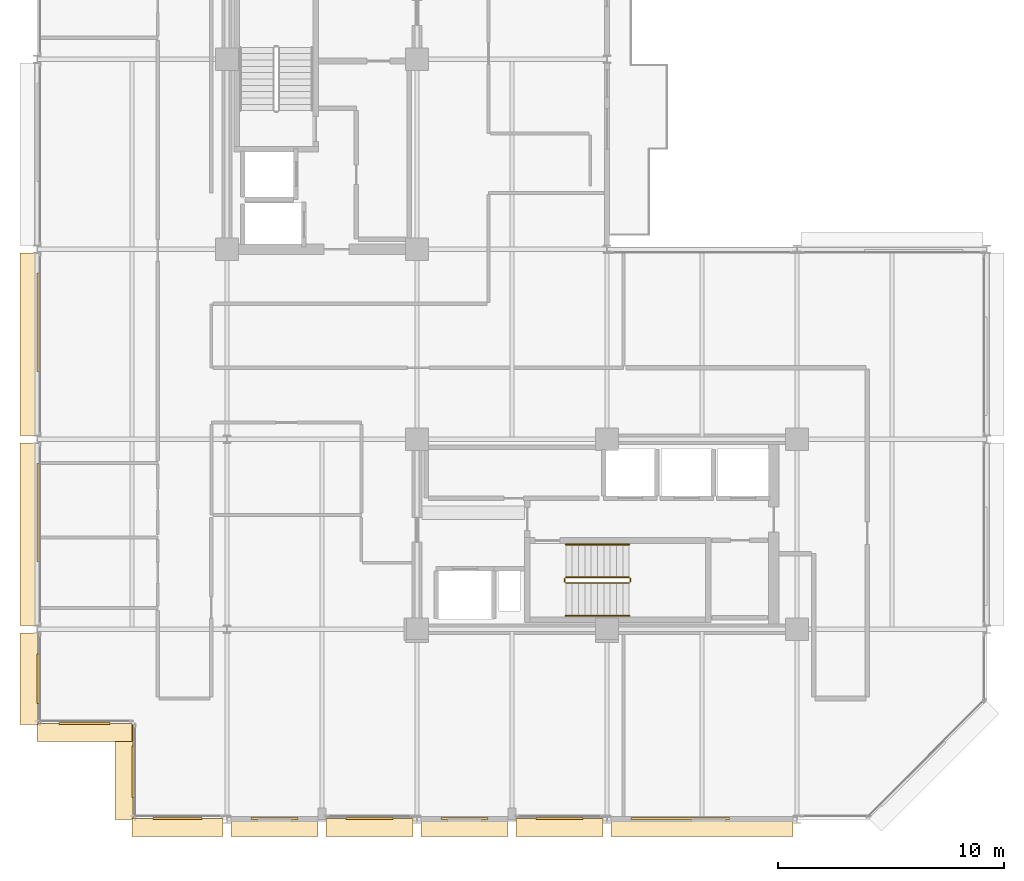
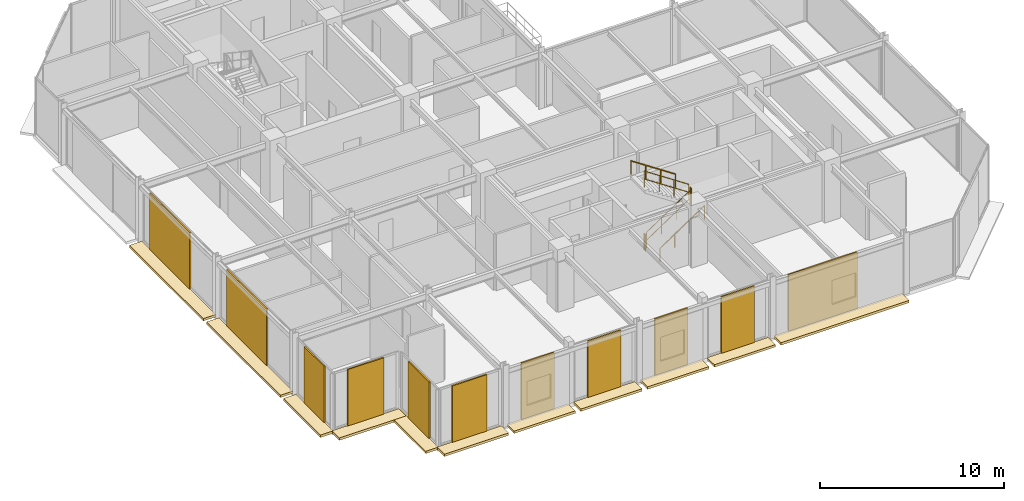
# One storey, part 23 of 26: 22 coverings, 6 railings.
"""IFC4 building model written with IfcOpenShell, lengths in metres."""

from ifc_helpers import new_model, si_unit, direction, frame, origin, origin_2d, place, context, subcontext, project, spatial, polyline, rectangle, circle, outline, extrude, material, layer, layer_set, type_object, element, save


model = new_model("IFC4")

# Units and contexts
model_context = context("Model", 3, precision=1e-05, world=origin(), true_north=direction((0.0, 1.0)))
body_context = subcontext(model_context, "Body", "Model", "MODEL_VIEW")
ifc_project = project(units=[si_unit("LENGTHUNIT", "METRE"), si_unit("AREAUNIT", "SQUARE_METRE"), si_unit("VOLUMEUNIT", "CUBIC_METRE"), si_unit("PLANEANGLEUNIT", "RADIAN"), si_unit("MASSUNIT", "GRAM", prefix="KILO")], contexts=[model_context])

# Site, building, storey
site_placement = place(None, origin())
site = spatial("IfcSite", under=ifc_project, at=site_placement, CompositionType="ELEMENT")
building_placement = place(site_placement, origin())
building = spatial("IfcBuilding", under=site, at=building_placement, Name="Nerrivon Quay Data Exchange", CompositionType="ELEMENT")
storey_placement = place(building_placement, frame((0.0, 0.0, 241.10009765625)))
storey = spatial("IfcBuildingStorey", under=building, at=storey_placement, Name="L57", CompositionType="ELEMENT", Elevation=241.10009765625)

# Coverings
ifc_material_1 = material(Name="Architectural terracotta ceramic", Category="masonry")
ifc_layer_1 = layer(ifc_material_1, 0.159912109375)
ifc_layer_set_1 = layer_set([ifc_layer_1], Name="Architectural terracotta ceramic")
covering_type_1 = type_object("IfcCoveringType", Name="COV-BLD-TERR", PredefinedType="CLADDING", material=ifc_layer_set_1)
covering_1_placement = place(storey_placement, frame((0.0, 0.0, -0.16015625)))
element("IfcCovering", 1, at=covering_1_placement, inside=storey, type_object=covering_type_1, Name="L57 Horizontal Terracotta SOLAR SCREEN Blade", PredefinedType="CLADDING", context=body_context, shape_type="SweptSolid", body=[
    extrude(outline(polyline([(33.425048828125, 0.0400390625), (25.375, 0.0400390625), (25.375, -0.75), (33.425048828125, -0.75), (33.425048828125, 0.0400390625)])), origin(), (0.0, 0.0, 1.0), 0.16015625),
])
covering_2_placement = place(storey_placement, frame((0.0, 0.0, -0.16015625)))
element("IfcCovering", 2, at=covering_2_placement, inside=storey, type_object=covering_type_1, Name="L57 Horizontal Terracotta SOLAR SCREEN Blade", PredefinedType="CLADDING", context=body_context, shape_type="SweptSolid", body=[
    extrude(outline(polyline([(25.02490234375, 0.0400390625), (21.175048828125, 0.0400390625), (21.175048828125, -0.75), (25.02490234375, -0.75), (25.02490234375, 0.0400390625)])), origin(), (0.0, 0.0, 1.0), 0.16015625),
])
covering_3_placement = place(storey_placement, frame((0.0, 0.0, -0.16015625)))
element("IfcCovering", 3, at=covering_3_placement, inside=storey, type_object=covering_type_1, Name="L57 Horizontal Terracotta SOLAR SCREEN Blade", PredefinedType="CLADDING", context=body_context, shape_type="SweptSolid", body=[
    extrude(outline(polyline([(20.824951171875, 0.0400390625), (16.97509765625, 0.0400390625), (16.97509765625, -0.75), (20.824951171875, -0.75), (20.824951171875, 0.0400390625)])), origin(), (0.0, 0.0, 1.0), 0.16015625),
])
covering_4_placement = place(storey_placement, frame((0.0, 0.0, -0.16015625)))
element("IfcCovering", 4, at=covering_4_placement, inside=storey, type_object=covering_type_1, Name="L57 Horizontal Terracotta SOLAR SCREEN Blade", PredefinedType="CLADDING", context=body_context, shape_type="SweptSolid", body=[
    extrude(outline(polyline([(16.625, 0.0400390625), (12.77490234375, 0.0400390625), (12.77490234375, -0.75), (16.625, -0.75), (16.625, 0.0400390625)])), origin(), (0.0, 0.0, 1.0), 0.16015625),
])
covering_5_placement = place(storey_placement, frame((0.0, 0.0, -0.16015625)))
element("IfcCovering", 5, at=covering_5_placement, inside=storey, type_object=covering_type_1, Name="L57 Horizontal Terracotta SOLAR SCREEN Blade", PredefinedType="CLADDING", context=body_context, shape_type="SweptSolid", body=[
    extrude(outline(polyline([(12.425048828125, 0.0400390625), (8.574951171875, 0.0400390625), (8.574951171875, -0.75), (12.425048828125, -0.75), (12.425048828125, 0.0400390625)])), origin(), (0.0, 0.0, 1.0), 0.16015625),
])
covering_6_placement = place(storey_placement, frame((0.0, 0.0, -0.16015625)))
element("IfcCovering", 6, at=covering_6_placement, inside=storey, type_object=covering_type_1, Name="L57 Horizontal Terracotta SOLAR SCREEN Blade", PredefinedType="CLADDING", context=body_context, shape_type="SweptSolid", body=[
    extrude(outline(polyline([(8.22509765625, 0.0400390625), (4.199951171875, 0.0400390625), (4.199951171875, -0.75), (8.22509765625, -0.75), (8.22509765625, 0.0400390625)])), origin(), (0.0, 0.0, 1.0), 0.16015625),
])
covering_7_placement = place(storey_placement, frame((0.0, 0.0, -0.16015625)))
element("IfcCovering", 7, at=covering_7_placement, inside=storey, type_object=covering_type_1, Name="L57 Horizontal Terracotta SOLAR SCREEN Blade", PredefinedType="CLADDING", context=body_context, shape_type="SweptSolid", body=[
    extrude(outline(polyline([(4.239990234375, 0.0), (4.239990234375, 4.199951171875), (3.449951171875, 4.199951171875), (3.449951171875, 0.0), (4.239990234375, 0.0)])), origin(), (0.0, 0.0, 1.0), 0.16015625),
])
covering_8_placement = place(storey_placement, frame((0.0, 0.0, -0.16015625)))
element("IfcCovering", 8, at=covering_8_placement, inside=storey, type_object=covering_type_1, Name="L57 Horizontal Terracotta SOLAR SCREEN Blade", PredefinedType="CLADDING", context=body_context, shape_type="SweptSolid", body=[
    extrude(outline(polyline([(4.199951171875, 4.239990234375), (0.0, 4.239990234375), (0.0, 3.449951171875), (4.199951171875, 3.449951171875), (4.199951171875, 4.239990234375)])), origin(), (0.0, 0.0, 1.0), 0.16015625),
])
covering_9_placement = place(storey_placement, frame((0.0, 0.0, -0.16015625)))
element("IfcCovering", 9, at=covering_9_placement, inside=storey, type_object=covering_type_1, Name="L57 Horizontal Terracotta SOLAR SCREEN Blade", PredefinedType="CLADDING", context=body_context, shape_type="SweptSolid", body=[
    extrude(outline(polyline([(0.0400390625, 4.199951171875), (0.0400390625, 8.22509765625), (-0.75, 8.22509765625), (-0.75, 4.199951171875), (0.0400390625, 4.199951171875)])), origin(), (0.0, 0.0, 1.0), 0.16015625),
])
covering_10_placement = place(storey_placement, frame((0.0, 0.0, -0.16015625)))
element("IfcCovering", 10, at=covering_10_placement, inside=storey, type_object=covering_type_1, Name="L57 Horizontal Terracotta SOLAR SCREEN Blade", PredefinedType="CLADDING", context=body_context, shape_type="SweptSolid", body=[
    extrude(outline(polyline([(0.0400390625, 8.574951171875), (0.0400390625, 16.625), (-0.75, 16.625), (-0.75, 8.574951171875), (0.0400390625, 8.574951171875)])), origin(), (0.0, 0.0, 1.0), 0.16015625),
])
covering_11_placement = place(storey_placement, frame((0.0, 0.0, -0.16015625)))
element("IfcCovering", 11, at=covering_11_placement, inside=storey, type_object=covering_type_1, Name="L57 Horizontal Terracotta SOLAR SCREEN Blade", PredefinedType="CLADDING", context=body_context, shape_type="SweptSolid", body=[
    extrude(outline(polyline([(0.0400390625, 16.97509765625), (0.0400390625, 25.02490234375), (-0.75, 25.02490234375), (-0.75, 16.97509765625), (0.0400390625, 16.97509765625)])), origin(), (0.0, 0.0, 1.0), 0.16015625),
])
ifc_layer_2 = layer(ifc_material_1, 0.090087890625)
ifc_layer_set_2 = layer_set([ifc_layer_2], Name="Architectural terracotta ceramic")
covering_type_2 = type_object("IfcCoveringType", Name="COV-SCR-TERR", PredefinedType="CLADDING", material=ifc_layer_set_2)
covering_12_placement = place(storey_placement, frame((28.43408203125, 0.044921875, 0.0), z_axis=(0.0, 0.0, 1.0), x_axis=(-1.0, 0.0, 0.0)))
element("IfcCovering", 12, at=covering_12_placement, inside=storey, type_object=covering_type_2, Name="L57 Perforated Terracotta SOLAR SCREEN Cassette", PredefinedType="CLADDING", context=body_context, shape_type="SweptSolid", body=[
    extrude(rectangle(XDim=4.346923828125, YDim=0.090087890625, at=origin_2d()), origin(), (0.0, 0.0, 1.0), 3.75),
])
for number, where, z_axis, x_axis, name in (
    (13, (23.10009765625, 0.044921875, 0.0), (0.0, 0.0, 1.0), (-1.0, 0.0, 0.0), "L57 Perforated Terracotta SOLAR SCREEN Cassette"),
    (14, (18.89990234375, 0.044921875, 0.0), (0.0, 0.0, 1.0), (-1.0, 0.0, 0.0), "L57 Perforated Terracotta SOLAR SCREEN Cassette"),
    (15, (14.699951171875, 0.044921875, 0.0), (0.0, 0.0, 1.0), (-1.0, 0.0, 0.0), "L57 Perforated Terracotta SOLAR SCREEN Cassette"),
    (16, (10.5, 0.044921875, 0.0), (0.0, 0.0, 1.0), (-1.0, 0.0, 0.0), "L57 Perforated Terracotta SOLAR SCREEN Cassette"),
):
    element("IfcCovering", number, at=place(storey_placement, frame(where, z_axis=z_axis, x_axis=x_axis)), inside=storey, type_object=covering_type_2, Name=name, PredefinedType="CLADDING", context=body_context, shape_type="SweptSolid", body=[
        extrude(rectangle(XDim=2.0791015625, YDim=0.090087890625, at=origin_2d()), origin(), (0.0, 0.0, 1.0), 3.75),
    ])
covering_13_placement = place(storey_placement, frame((6.21240234375, 0.044921875, 0.0), z_axis=(0.0, 0.0, 1.0), x_axis=(-1.0, 0.0, 0.0)))
element("IfcCovering", 17, at=covering_13_placement, inside=storey, type_object=covering_type_2, Name="L57 Perforated Terracotta SOLAR SCREEN Cassette", PredefinedType="CLADDING", context=body_context, shape_type="SweptSolid", body=[
    extrude(rectangle(XDim=2.173095703125, YDim=0.090087890625, at=origin_2d()), origin(), (0.0, 0.0, 1.0), 3.75),
])
for number, where, z_axis, x_axis, name in (
    (18, (4.2451171875, 2.10009765625, 0.0), (0.0, 0.0, 1.0), (0.0, 1.0, 0.0), "L57 Perforated Terracotta SOLAR SCREEN Cassette"),
    (19, (2.10009765625, 4.2451171875, 0.0), (0.0, 0.0, 1.0), (-1.0, 0.0, 0.0), "L57 Perforated Terracotta SOLAR SCREEN Cassette"),
):
    element("IfcCovering", number, at=place(storey_placement, frame(where, z_axis=z_axis, x_axis=x_axis)), inside=storey, type_object=covering_type_2, Name=name, PredefinedType="CLADDING", context=body_context, shape_type="SweptSolid", body=[
        extrude(rectangle(XDim=2.26806640625, YDim=0.090087890625, at=origin_2d()), origin(), (0.0, 0.0, 1.0), 3.75),
    ])
covering_14_placement = place(storey_placement, frame((0.044921875, 6.21240234375, 0.0), z_axis=(0.0, 0.0, 1.0), x_axis=(0.0, 1.0, 0.0)))
element("IfcCovering", 20, at=covering_14_placement, inside=storey, type_object=covering_type_2, Name="L57 Perforated Terracotta SOLAR SCREEN Cassette", PredefinedType="CLADDING", context=body_context, shape_type="SweptSolid", body=[
    extrude(rectangle(XDim=2.173095703125, YDim=0.090087890625, at=origin_2d()), origin(), (0.0, 0.0, 1.0), 3.75),
])
for number, where, z_axis, x_axis, name in (
    (21, (0.044921875, 13.56591796875, 0.0), (0.0, 0.0, 1.0), (0.0, 1.0, 0.0), "L57 Perforated Terracotta SOLAR SCREEN Cassette"),
    (22, (0.044921875, 21.966064453125, 0.0), (0.0, 0.0, 1.0), (0.0, 1.0, 0.0), "L57 Perforated Terracotta SOLAR SCREEN Cassette"),
):
    element("IfcCovering", number, at=place(storey_placement, frame(where, z_axis=z_axis, x_axis=x_axis)), inside=storey, type_object=covering_type_2, Name=name, PredefinedType="CLADDING", context=body_context, shape_type="SweptSolid", body=[
        extrude(rectangle(XDim=4.346923828125, YDim=0.090087890625, at=origin_2d()), origin(), (0.0, 0.0, 1.0), 3.75),
    ])

# Railings
ifc_material_2 = material(Name="Steel Grade C350L0 (350 MPa)", Category="steel")
railing_type_1 = type_object("IfcRailingType", Name="RAIL-HAND-HR1", PredefinedType="HANDRAIL", material=ifc_material_2)
railing_1_placement = place(storey_placement, frame((23.3798828125, 9.0, 0.186279296875)))
element("IfcRailing", 23, at=railing_1_placement, inside=storey, type_object=railing_type_1, Name="L57 ST02 stair handrail 1", PredefinedType="HANDRAIL", context=body_context, shape_type="SweptSolid", body=[
    extrude(circle(Radius=0.02392578125, at=origin_2d()), frame((0.0, 0.0, 0.8759765625), z_axis=(0.832485552168, 0.0, 0.554046753832), x_axis=(0.0, 1.0, 0.0)), (0.0, 0.0, 1.0), 3.363525390625),
    extrude(circle(Radius=0.02099609375, at=origin_2d()), origin(), (0.0, 0.0, 1.0), 0.851806640625),
    extrude(circle(Radius=0.02099609375, at=origin_2d()), frame((0.933349609375, 0.0, 0.62109375)), (0.0, 0.0, 1.0), 0.851806640625),
    extrude(circle(Radius=0.02099609375, at=origin_2d()), frame((1.86669921875, 0.0, 1.242431640625)), (0.0, 0.0, 1.0), 0.851806640625),
    extrude(circle(Radius=0.02099609375, at=origin_2d()), frame((2.800048828125, 0.0, 1.863525390625)), (0.0, 0.0, 1.0), 0.851806640625),
])
railing_2_placement = place(storey_placement, frame((26.179931640625, 12.14990234375, 2.236328125)))
element("IfcRailing", 24, at=railing_2_placement, inside=storey, type_object=railing_type_1, Name="L57 ST02 stair handrail 2", PredefinedType="HANDRAIL", context=body_context, shape_type="SweptSolid", body=[
    extrude(circle(Radius=0.02392578125, at=origin_2d()), frame((0.0, 0.0, 0.8759765625), z_axis=(-0.832485552168, 0.0, 0.554046753832), x_axis=(0.0, -1.0, 0.0)), (0.0, 0.0, 1.0), 3.363525390625),
    extrude(circle(Radius=0.02099609375, at=origin_2d()), origin(), (0.0, 0.0, 1.0), 0.851806640625),
    extrude(circle(Radius=0.02099609375, at=origin_2d()), frame((-0.933349609375, 0.0, 0.62109375)), (0.0, 0.0, 1.0), 0.851806640625),
    extrude(circle(Radius=0.02099609375, at=origin_2d()), frame((-1.86669921875, 0.0, 1.242431640625)), (0.0, 0.0, 1.0), 0.851806640625),
    extrude(circle(Radius=0.02099609375, at=origin_2d()), frame((-2.800048828125, 0.0, 1.863525390625)), (0.0, 0.0, 1.0), 0.851806640625),
])
railing_type_2 = type_object("IfcRailingType", Name="RAIL-STAIR-GR1", PredefinedType="BALUSTRADE", material=ifc_material_2)
railing_3_placement = place(storey_placement, frame((23.3798828125, 10.449951171875, 0.186279296875)))
element("IfcRailing", 25, at=railing_3_placement, inside=storey, type_object=railing_type_2, Name="L57 ST02 stair guard 1", PredefinedType="BALUSTRADE", context=body_context, shape_type="SweptSolid", body=[
    extrude(circle(Radius=0.02392578125, at=origin_2d()), frame((0.0, 0.0, 1.076171875), z_axis=(0.832485552168, 0.0, 0.554046753832), x_axis=(0.0, 1.0, 0.0)), (0.0, 0.0, 1.0), 3.363525390625),
    extrude(circle(Radius=0.02392578125, at=origin_2d()), frame((0.0, 0.0, 0.550048828125), z_axis=(0.832485552168, 0.0, 0.554046753832), x_axis=(0.0, 1.0, 0.0)), (0.0, 0.0, 1.0), 3.363525390625),
    extrude(circle(Radius=0.02099609375, at=origin_2d()), origin(), (0.0, 0.0, 1.0), 1.052001953125),
    extrude(circle(Radius=0.02099609375, at=origin_2d()), frame((0.933349609375, 0.0, 0.62109375)), (0.0, 0.0, 1.0), 1.052001953125),
    extrude(circle(Radius=0.02099609375, at=origin_2d()), frame((1.86669921875, 0.0, 1.242431640625)), (0.0, 0.0, 1.0), 1.052001953125),
    extrude(circle(Radius=0.02099609375, at=origin_2d()), frame((2.800048828125, 0.0, 1.863525390625)), (0.0, 0.0, 1.0), 1.052001953125),
])
railing_4_placement = place(storey_placement, frame((26.22998046875, 10.5, 2.0498046875)))
element("IfcRailing", 26, at=railing_4_placement, inside=storey, type_object=railing_type_2, Name="L57 ST02 stair guard 2", PredefinedType="BALUSTRADE", context=body_context, shape_type="SweptSolid", body=[
    extrude(circle(Radius=0.02392578125, at=origin_2d()), frame((0.0, 0.0, 1.076171875), z_axis=(0.0, 1.0, 0.0), x_axis=(-1.0, 0.0, 0.0)), (0.0, 0.0, 1.0), 0.14990234375),
    extrude(circle(Radius=0.02392578125, at=origin_2d()), frame((0.0, 0.0, 0.550048828125), z_axis=(0.0, 1.0, 0.0), x_axis=(-1.0, 0.0, 0.0)), (0.0, 0.0, 1.0), 0.14990234375),
    extrude(circle(Radius=0.02099609375, at=origin_2d()), origin(), (0.0, 0.0, 1.0), 1.052001953125),
    extrude(circle(Radius=0.02099609375, at=origin_2d()), frame((0.0, 0.14990234375, 0.0)), (0.0, 0.0, 1.0), 1.052001953125),
])
railing_5_placement = place(storey_placement, frame((26.179931640625, 10.699951171875, 2.236328125)))
element("IfcRailing", 27, at=railing_5_placement, inside=storey, type_object=railing_type_2, Name="L57 ST02 stair guard 3", PredefinedType="BALUSTRADE", context=body_context, shape_type="SweptSolid", body=[
    extrude(circle(Radius=0.02392578125, at=origin_2d()), frame((0.0, 0.0, 1.076171875), z_axis=(-0.832485552168, 0.0, 0.554046753832), x_axis=(0.0, -1.0, 0.0)), (0.0, 0.0, 1.0), 3.363525390625),
    extrude(circle(Radius=0.02392578125, at=origin_2d()), frame((0.0, 0.0, 0.550048828125), z_axis=(-0.832485552168, 0.0, 0.554046753832), x_axis=(0.0, -1.0, 0.0)), (0.0, 0.0, 1.0), 3.363525390625),
    extrude(circle(Radius=0.02099609375, at=origin_2d()), origin(), (0.0, 0.0, 1.0), 1.052001953125),
    extrude(circle(Radius=0.02099609375, at=origin_2d()), frame((-0.933349609375, 0.0, 0.62109375)), (0.0, 0.0, 1.0), 1.052001953125),
    extrude(circle(Radius=0.02099609375, at=origin_2d()), frame((-1.86669921875, 0.0, 1.242431640625)), (0.0, 0.0, 1.0), 1.052001953125),
    extrude(circle(Radius=0.02099609375, at=origin_2d()), frame((-2.800048828125, 0.0, 1.863525390625)), (0.0, 0.0, 1.0), 1.052001953125),
])
railing_6_placement = place(storey_placement, frame((23.330078125, 10.5, 0.0)))
element("IfcRailing", 28, at=railing_6_placement, inside=storey, type_object=railing_type_2, Name="L57 ST02 stair guard 4", PredefinedType="BALUSTRADE", context=body_context, shape_type="SweptSolid", body=[
    extrude(circle(Radius=0.02392578125, at=origin_2d()), frame((0.0, 0.0, 1.076171875), z_axis=(0.0, 1.0, 0.0), x_axis=(-1.0, 0.0, 0.0)), (0.0, 0.0, 1.0), 0.14990234375),
    extrude(circle(Radius=0.02392578125, at=origin_2d()), frame((0.0, 0.0, 0.550048828125), z_axis=(0.0, 1.0, 0.0), x_axis=(-1.0, 0.0, 0.0)), (0.0, 0.0, 1.0), 0.14990234375),
    extrude(circle(Radius=0.02099609375, at=origin_2d()), origin(), (0.0, 0.0, 1.0), 1.052001953125),
    extrude(circle(Radius=0.02099609375, at=origin_2d()), frame((0.0, 0.14990234375, 0.0)), (0.0, 0.0, 1.0), 1.052001953125),
])

save(model, "model.ifc")
